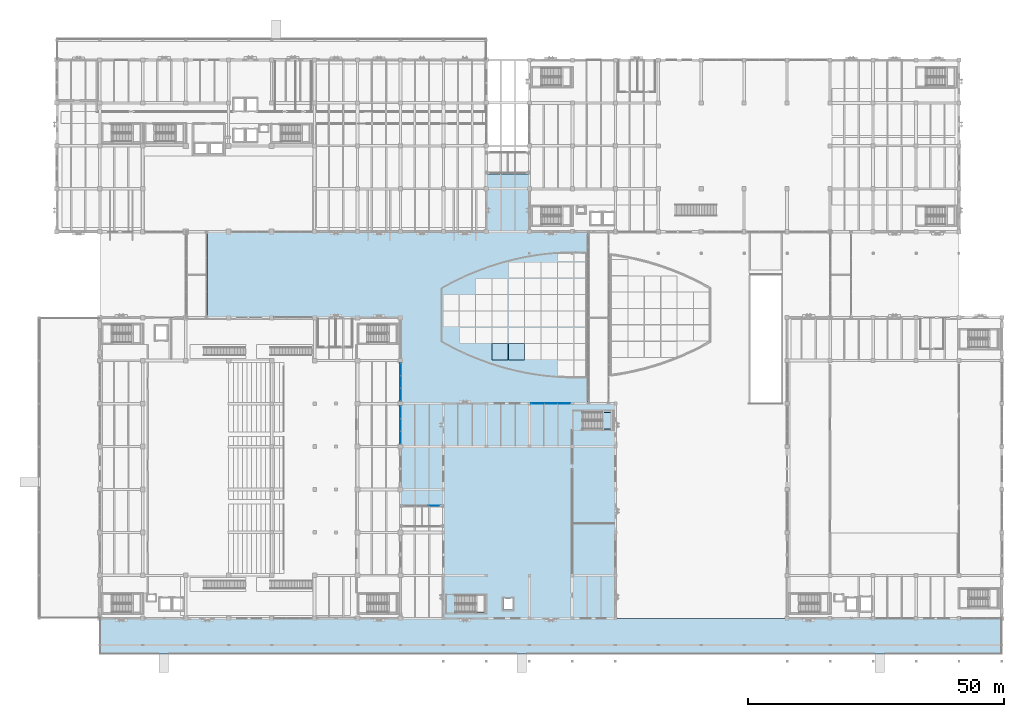
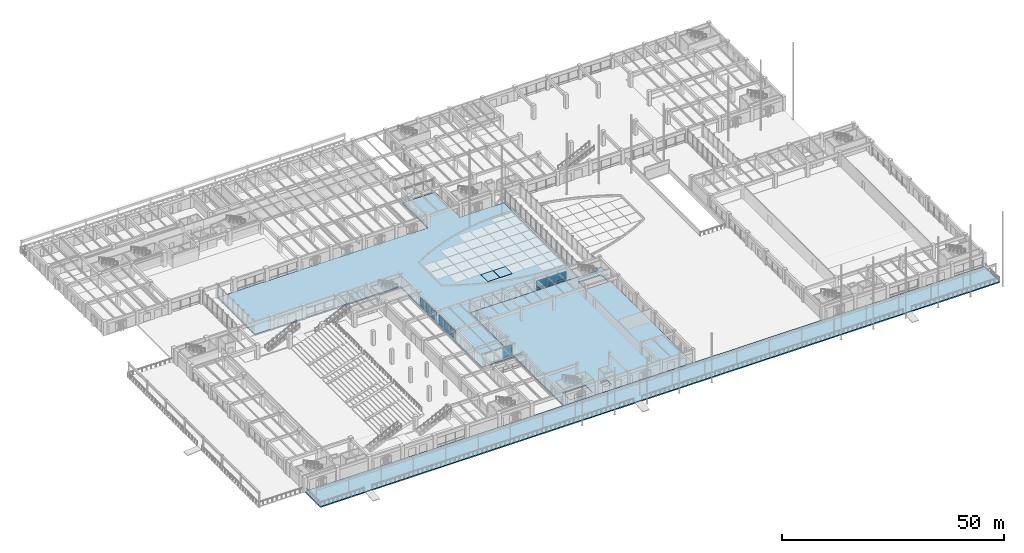
# One storey, part 65 of 135: 21 plates, 4 slabs, 5 elements without a shape of their own.
"""IFC4 building model written with IfcOpenShell, lengths in metres."""

from ifc_helpers import new_model, si_unit, direction, frame, origin, origin_2d, place, context, subcontext, project, spatial, polyline, rectangle, outline, extrude, material, layer, layer_set, type_object, element, aggregate, save


model = new_model("IFC4")

# Units and contexts
model_context = context("Model", 3, precision=1e-05, world=origin(), true_north=direction((0.0, 1.0)))
body_context = subcontext(model_context, "Body", "Model", "MODEL_VIEW")
ifc_project = project(units=[si_unit("LENGTHUNIT", "METRE"), si_unit("AREAUNIT", "SQUARE_METRE"), si_unit("VOLUMEUNIT", "CUBIC_METRE"), si_unit("PLANEANGLEUNIT", "RADIAN"), si_unit("MASSUNIT", "GRAM", prefix="KILO")], contexts=[model_context])

# Site, building, storey
site_placement = place(None, origin())
site = spatial("IfcSite", under=ifc_project, at=site_placement, CompositionType="ELEMENT")
building_placement = place(site_placement, origin())
building = spatial("IfcBuilding", under=site, at=building_placement, Name="Cumbredor Promenade Congress Hotel", CompositionType="ELEMENT")
storey_placement = place(building_placement, origin())
storey = spatial("IfcBuildingStorey", under=building, at=storey_placement, Name="L00", CompositionType="ELEMENT", Elevation=0.0)

# Stair, slab
ifc_material_1 = material(Name="Concrete C40/50", Category="concrete")
stair_type = type_object("IfcStairType", Name="Protected Dog-Leg Exit Stair ST-T1 1550mm", PredefinedType="HALF_TURN_STAIR", material=ifc_material_1)
stair_placement = place(storey_placement, origin())
stair = element("IfcStair", 1, at=stair_placement, inside=storey, type_object=stair_type, Name="L00 Protected Exit Stair ST-12", PredefinedType="HALF_TURN_STAIR")
ifc_layer_1 = layer(ifc_material_1, 0.199951171875, Name="Concrete C40/50", Category="concrete")
ifc_layer_set_1 = layer_set([ifc_layer_1], Name="Concrete C40/50")
slab_type_1 = type_object("IfcSlabType", Name="Concrete Stair Landing Slab 200mm", PredefinedType="LANDING", material=ifc_layer_set_1)
slab_1_placement = place(storey_placement, frame((0.0, 0.0, 1.760009765625)))
slab_1 = element("IfcSlab", 2, at=slab_1_placement, type_object=slab_type_1, Name="ST-12 landing 1", PredefinedType="LANDING", context=body_context, shape_type="SweptSolid", body=[
    extrude(outline(polyline([(106.64990234375, 45.449951171875), (108.64990234375, 45.449951171875), (108.64990234375, 48.699951171875), (106.64990234375, 48.699951171875), (106.64990234375, 45.449951171875)])), origin(), (0.0, 0.0, 1.0), 0.199951171875),
])
aggregate(stair, [slab_1])

# Curtain wall, plate
ifc_material_2 = material(Name="Thermally broken anodized aluminium and low-E glass", Category="aluminium")
curtain_wall_type_1 = type_object("IfcCurtainWallType", Name="Unitised Bridge Glazing Screen CW-05", PredefinedType="NOTDEFINED", material=ifc_material_2)
curtain_wall_1_placement = place(storey_placement, origin())
curtain_wall_1 = element("IfcCurtainWall", 3, at=curtain_wall_1_placement, inside=storey, type_object=curtain_wall_type_1, Name="L00 Central Plenary-to-Spa Pool Bridge North Glazing Screen", PredefinedType="NOTDEFINED")
ifc_material_3 = material(Name="Laminated low-E solar-control glass", Category="glass")
ifc_layer_2 = layer(ifc_material_3, 0.030029296875, Name="Laminated low-E solar-control glass", Category="glass")
ifc_layer_set_2 = layer_set([ifc_layer_2], Name="Laminated low-E solar-control glass")
plate_type_1 = type_object("IfcPlateType", Name="Glazed Bridge Panel PNL-04", PredefinedType="CURTAIN_PANEL", material=ifc_layer_set_2)
plate_1_placement = place(storey_placement, frame((73.760009765625, 30.419921875, 0.78515625), z_axis=(0.0, 0.0, 1.0), x_axis=(1.0, 0.0, 0.0)))
plate_1 = element("IfcPlate", 4, at=plate_1_placement, type_object=plate_type_1, Name="L00 Central Plenary-to-Spa Pool Bridge North Glazing Screen Glazing Panel 3.2", PredefinedType="CURTAIN_PANEL", context=body_context, shape_type="SweptSolid", body=[
    extrude(rectangle(XDim=2.294921875, YDim=0.030029296875, at=origin_2d()), origin(), (0.0, 0.0, 1.0), 2.6298828125),
])
aggregate(curtain_wall_1, [plate_1])

# Curtain wall, plates
curtain_wall_type_2 = type_object("IfcCurtainWallType", Name="Unitised Grand Foyer Curtain Wall CW-04", PredefinedType="NOTDEFINED", material=ifc_material_2)
curtain_wall_2_placement = place(storey_placement, origin())
curtain_wall_2 = element("IfcCurtainWall", 5, at=curtain_wall_2_placement, inside=storey, type_object=curtain_wall_type_2, Name="L00 Plenary Congress Hall East Curtain Wall 5", PredefinedType="NOTDEFINED")
ifc_layer_3 = layer(ifc_material_3, 0.028076171875, Name="Laminated low-E solar-control glass", Category="glass")
ifc_layer_set_3 = layer_set([ifc_layer_3], Name="Laminated low-E solar-control glass")
plate_type_2 = type_object("IfcPlateType", Name="Glazed Vision Panel PNL-01", PredefinedType="CURTAIN_PANEL", material=ifc_layer_set_3)
plate_2_placement = place(storey_placement, frame((67.199951171875, 43.736572265625, 0.784912109375), z_axis=(0.0, 0.0, 1.0), x_axis=(0.0, 1.0, 0.0)))
plate_2 = element("IfcPlate", 6, at=plate_2_placement, type_object=plate_type_2, Name="L00 Plenary Congress Hall East Curtain Wall 5 Glazing Panel 1.2", PredefinedType="CURTAIN_PANEL", context=body_context, shape_type="SweptSolid", body=[
    extrude(rectangle(XDim=2.398193359375, YDim=0.028076171875, at=origin_2d()), origin(), (0.0, 0.0, 1.0), 2.06005859375),
])
plate_3_placement = place(storey_placement, frame((67.199951171875, 46.199951171875, 0.784912109375), z_axis=(0.0, 0.0, 1.0), x_axis=(0.0, 1.0, 0.0)))
plate_3 = element("IfcPlate", 7, at=plate_3_placement, type_object=plate_type_2, Name="L00 Plenary Congress Hall East Curtain Wall 5 Glazing Panel 2.2", PredefinedType="CURTAIN_PANEL", context=body_context, shape_type="SweptSolid", body=[
    extrude(rectangle(XDim=2.3984375, YDim=0.028076171875, at=origin_2d()), origin(), (0.0, 0.0, 1.0), 2.06005859375),
])
plate_4_placement = place(storey_placement, frame((67.199951171875, 48.663330078125, 0.784912109375), z_axis=(0.0, 0.0, 1.0), x_axis=(0.0, 1.0, 0.0)))
plate_4 = element("IfcPlate", 8, at=plate_4_placement, type_object=plate_type_2, Name="L00 Plenary Congress Hall East Curtain Wall 5 Glazing Panel 3.2", PredefinedType="CURTAIN_PANEL", context=body_context, shape_type="SweptSolid", body=[
    extrude(rectangle(XDim=2.398193359375, YDim=0.028076171875, at=origin_2d()), origin(), (0.0, 0.0, 1.0), 2.06005859375),
])

curtain_wall_3_placement = place(storey_placement, origin())
curtain_wall_3 = element("IfcCurtainWall", 9, at=curtain_wall_3_placement, inside=storey, type_object=curtain_wall_type_2, Name="L00 Plenary Congress Hall East Curtain Wall 6", PredefinedType="NOTDEFINED")
ifc_layer_4 = layer(ifc_material_3, 0.031982421875, Name="Laminated low-E solar-control glass", Category="glass")
ifc_layer_set_4 = layer_set([ifc_layer_4], Name="Laminated low-E solar-control glass")
plate_type_3 = type_object("IfcPlateType", Name="Glazed Vision Panel PNL-02", PredefinedType="CURTAIN_PANEL", material=ifc_layer_set_4)
plate_5_placement = place(storey_placement, frame((67.199951171875, 52.13671875, 0.794921875), z_axis=(0.0, 0.0, 1.0), x_axis=(0.0, 1.0, 0.0)))
plate_5 = element("IfcPlate", 10, at=plate_5_placement, type_object=plate_type_3, Name="L00 Plenary Congress Hall East Curtain Wall 6 Glazing Panel 1.2", PredefinedType="CURTAIN_PANEL", context=body_context, shape_type="SweptSolid", body=[
    extrude(rectangle(XDim=2.38818359375, YDim=0.031982421875, at=origin_2d()), origin(), (0.0, 0.0, 1.0), 1.830078125),
])
plate_6_placement = place(storey_placement, frame((67.199951171875, 54.60009765625, 0.794921875), z_axis=(0.0, 0.0, 1.0), x_axis=(0.0, 1.0, 0.0)))
plate_6 = element("IfcPlate", 11, at=plate_6_placement, type_object=plate_type_3, Name="L00 Plenary Congress Hall East Curtain Wall 6 Glazing Panel 2.2", PredefinedType="CURTAIN_PANEL", context=body_context, shape_type="SweptSolid", body=[
    extrude(rectangle(XDim=2.388427734375, YDim=0.031982421875, at=origin_2d()), origin(), (0.0, 0.0, 1.0), 1.830078125),
])
plate_7_placement = place(storey_placement, frame((67.199951171875, 57.063232421875, 0.794921875), z_axis=(0.0, 0.0, 1.0), x_axis=(0.0, 1.0, 0.0)))
plate_7 = element("IfcPlate", 12, at=plate_7_placement, type_object=plate_type_3, Name="L00 Plenary Congress Hall East Curtain Wall 6 Glazing Panel 3.2", PredefinedType="CURTAIN_PANEL", context=body_context, shape_type="SweptSolid", body=[
    extrude(rectangle(XDim=2.38818359375, YDim=0.031982421875, at=origin_2d()), origin(), (0.0, 0.0, 1.0), 1.830078125),
])

curtain_wall_4_placement = place(storey_placement, origin())
curtain_wall_4 = element("IfcCurtainWall", 13, at=curtain_wall_4_placement, inside=storey, type_object=curtain_wall_type_2, Name="L00 Thermal Spa and Hydrotherapy Pavilion North Curtain Wall 3", PredefinedType="NOTDEFINED")
plate_8_placement = place(storey_placement, frame((94.03662109375, 50.39990234375, 0.795166015625), z_axis=(0.0, 0.0, 1.0), x_axis=(1.0, 0.0, 0.0)))
plate_8 = element("IfcPlate", 14, at=plate_8_placement, type_object=plate_type_3, Name="L00 Thermal Spa and Hydrotherapy Pavilion North Curtain Wall 3 Glazing Panel 1.2", PredefinedType="CURTAIN_PANEL", context=body_context, shape_type="SweptSolid", body=[
    extrude(rectangle(XDim=2.48828125, YDim=0.031982421875, at=origin_2d()), origin(), (0.0, 0.0, 1.0), 1.8798828125),
])
plate_9_placement = place(storey_placement, frame((96.60009765625, 50.39990234375, 0.795166015625), z_axis=(0.0, 0.0, 1.0), x_axis=(1.0, 0.0, 0.0)))
plate_9 = element("IfcPlate", 15, at=plate_9_placement, type_object=plate_type_3, Name="L00 Thermal Spa and Hydrotherapy Pavilion North Curtain Wall 3 Glazing Panel 2.2", PredefinedType="CURTAIN_PANEL", context=body_context, shape_type="SweptSolid", body=[
    extrude(rectangle(XDim=2.48828125, YDim=0.031982421875, at=origin_2d()), origin(), (0.0, 0.0, 1.0), 1.8798828125),
])
plate_10_placement = place(storey_placement, frame((99.163330078125, 50.39990234375, 0.795166015625), z_axis=(0.0, 0.0, 1.0), x_axis=(1.0, 0.0, 0.0)))
plate_10 = element("IfcPlate", 16, at=plate_10_placement, type_object=plate_type_3, Name="L00 Thermal Spa and Hydrotherapy Pavilion North Curtain Wall 3 Glazing Panel 3.2", PredefinedType="CURTAIN_PANEL", context=body_context, shape_type="SweptSolid", body=[
    extrude(rectangle(XDim=2.48828125, YDim=0.031982421875, at=origin_2d()), origin(), (0.0, 0.0, 1.0), 1.8798828125),
])

# Slab
ifc_layer_5 = layer(ifc_material_1, 0.35009765625, Name="Concrete C40/50", Category="concrete")
ifc_layer_set_5 = layer_set([ifc_layer_5], Name="Concrete C40/50")
slab_type_2 = type_object("IfcSlabType", Name="Ground Floor Slab 350mm", PredefinedType="FLOOR", material=ifc_layer_set_5)
slab_2_placement = place(storey_placement, frame((0.0, 0.0, -0.35009765625)))
element("IfcSlab", 17, at=slab_2_placement, inside=storey, type_object=slab_type_2, Name="L00 Thermal Spa and Hydrotherapy Pavilion Floor Slab", PredefinedType="FLOOR", context=body_context, shape_type="SweptSolid", body=[
    extrude(outline(polyline([(75.60009765625, 8.39990234375), (109.199951171875, 8.39990234375), (109.199951171875, 50.39990234375), (75.60009765625, 50.39990234375), (75.60009765625, 8.39990234375)]), holes=[polyline([(77.949951171875, 9.60009765625), (83.85009765625, 9.60009765625), (83.85009765625, 12.85009765625), (77.949951171875, 12.85009765625), (77.949951171875, 9.60009765625)]), polyline([(102.75, 45.449951171875), (108.64990234375, 45.449951171875), (108.64990234375, 48.699951171875), (102.75, 48.699951171875), (102.75, 45.449951171875)]), polyline([(87.300048828125, 10.10009765625), (89.10009765625, 10.10009765625), (89.10009765625, 12.300048828125), (87.300048828125, 12.300048828125), (87.300048828125, 10.10009765625)])]), origin(), (0.0, 0.0, 1.0), 0.35009765625),
])

# Plate
ifc_material_4 = material(Name="Thermally broken anodized aluminium", Category="aluminium")
ifc_layer_6 = layer(ifc_material_4, 0.0400390625, Name="Thermally broken anodized aluminium", Category="aluminium")
ifc_layer_set_6 = layer_set([ifc_layer_6], Name="Thermally broken anodized aluminium")
plate_type_4 = type_object("IfcPlateType", Name="Insulated Spandrel Panel PNL-05", PredefinedType="CURTAIN_PANEL", material=ifc_layer_set_6)
plate_11_placement = place(storey_placement, frame((67.199951171875, 43.736572265625, 0.135009765625), z_axis=(0.0, 0.0, 1.0), x_axis=(0.0, 1.0, 0.0)))
plate_11 = element("IfcPlate", 18, at=plate_11_placement, type_object=plate_type_4, Name="L00 Plenary Congress Hall East Curtain Wall 5 Spandrel Panel 1.1", PredefinedType="CURTAIN_PANEL", context=body_context, shape_type="SweptSolid", body=[
    extrude(rectangle(XDim=2.398193359375, YDim=0.0400390625, at=origin_2d()), origin(), (0.0, 0.0, 1.0), 0.52001953125),
])

plate_12_placement = place(storey_placement, frame((67.199951171875, 46.199951171875, 0.135009765625), z_axis=(0.0, 0.0, 1.0), x_axis=(0.0, 1.0, 0.0)))
plate_12 = element("IfcPlate", 19, at=plate_12_placement, type_object=plate_type_4, Name="L00 Plenary Congress Hall East Curtain Wall 5 Spandrel Panel 2.1", PredefinedType="CURTAIN_PANEL", context=body_context, shape_type="SweptSolid", body=[
    extrude(rectangle(XDim=2.3984375, YDim=0.0400390625, at=origin_2d()), origin(), (0.0, 0.0, 1.0), 0.52001953125),
])

plate_13_placement = place(storey_placement, frame((67.199951171875, 48.663330078125, 0.135009765625), z_axis=(0.0, 0.0, 1.0), x_axis=(0.0, 1.0, 0.0)))
plate_13 = element("IfcPlate", 20, at=plate_13_placement, type_object=plate_type_4, Name="L00 Plenary Congress Hall East Curtain Wall 5 Spandrel Panel 3.1", PredefinedType="CURTAIN_PANEL", context=body_context, shape_type="SweptSolid", body=[
    extrude(rectangle(XDim=2.398193359375, YDim=0.0400390625, at=origin_2d()), origin(), (0.0, 0.0, 1.0), 0.52001953125),
])

aggregate(curtain_wall_2, [plate_11, plate_2, plate_12, plate_3, plate_13, plate_4])

plate_14_placement = place(storey_placement, frame((94.03662109375, 50.39990234375, 0.14501953125), z_axis=(0.0, 0.0, 1.0), x_axis=(1.0, 0.0, 0.0)))
plate_14 = element("IfcPlate", 21, at=plate_14_placement, type_object=plate_type_4, Name="L00 Thermal Spa and Hydrotherapy Pavilion North Curtain Wall 3 Spandrel Panel 1.1", PredefinedType="CURTAIN_PANEL", context=body_context, shape_type="SweptSolid", body=[
    extrude(rectangle(XDim=2.48828125, YDim=0.0400390625, at=origin_2d()), origin(), (0.0, 0.0, 1.0), 0.5),
])

plate_15_placement = place(storey_placement, frame((96.60009765625, 50.39990234375, 0.14501953125), z_axis=(0.0, 0.0, 1.0), x_axis=(1.0, 0.0, 0.0)))
plate_15 = element("IfcPlate", 22, at=plate_15_placement, type_object=plate_type_4, Name="L00 Thermal Spa and Hydrotherapy Pavilion North Curtain Wall 3 Spandrel Panel 2.1", PredefinedType="CURTAIN_PANEL", context=body_context, shape_type="SweptSolid", body=[
    extrude(rectangle(XDim=2.48828125, YDim=0.0400390625, at=origin_2d()), origin(), (0.0, 0.0, 1.0), 0.5),
])

plate_16_placement = place(storey_placement, frame((99.163330078125, 50.39990234375, 0.14501953125), z_axis=(0.0, 0.0, 1.0), x_axis=(1.0, 0.0, 0.0)))
plate_16 = element("IfcPlate", 23, at=plate_16_placement, type_object=plate_type_4, Name="L00 Thermal Spa and Hydrotherapy Pavilion North Curtain Wall 3 Spandrel Panel 3.1", PredefinedType="CURTAIN_PANEL", context=body_context, shape_type="SweptSolid", body=[
    extrude(rectangle(XDim=2.48828125, YDim=0.0400390625, at=origin_2d()), origin(), (0.0, 0.0, 1.0), 0.5),
])

aggregate(curtain_wall_4, [plate_14, plate_8, plate_15, plate_9, plate_16, plate_10])

ifc_layer_7 = layer(ifc_material_4, 0.0400390625, Name="Thermally broken anodized aluminium", Category="aluminium")
ifc_layer_set_7 = layer_set([ifc_layer_7], Name="Thermally broken anodized aluminium")
plate_type_5 = type_object("IfcPlateType", Name="Insulated Spandrel Panel PNL-06", PredefinedType="CURTAIN_PANEL", material=ifc_layer_set_7)
plate_17_placement = place(storey_placement, frame((67.199951171875, 52.13671875, 0.14501953125), z_axis=(0.0, 0.0, 1.0), x_axis=(0.0, 1.0, 0.0)))
plate_17 = element("IfcPlate", 24, at=plate_17_placement, type_object=plate_type_5, Name="L00 Plenary Congress Hall East Curtain Wall 6 Spandrel Panel 1.1", PredefinedType="CURTAIN_PANEL", context=body_context, shape_type="SweptSolid", body=[
    extrude(rectangle(XDim=2.38818359375, YDim=0.0400390625, at=origin_2d()), origin(), (0.0, 0.0, 1.0), 0.5),
])

plate_18_placement = place(storey_placement, frame((67.199951171875, 54.60009765625, 0.14501953125), z_axis=(0.0, 0.0, 1.0), x_axis=(0.0, 1.0, 0.0)))
plate_18 = element("IfcPlate", 25, at=plate_18_placement, type_object=plate_type_5, Name="L00 Plenary Congress Hall East Curtain Wall 6 Spandrel Panel 2.1", PredefinedType="CURTAIN_PANEL", context=body_context, shape_type="SweptSolid", body=[
    extrude(rectangle(XDim=2.388427734375, YDim=0.0400390625, at=origin_2d()), origin(), (0.0, 0.0, 1.0), 0.5),
])

plate_19_placement = place(storey_placement, frame((67.199951171875, 57.063232421875, 0.14501953125), z_axis=(0.0, 0.0, 1.0), x_axis=(0.0, 1.0, 0.0)))
plate_19 = element("IfcPlate", 26, at=plate_19_placement, type_object=plate_type_5, Name="L00 Plenary Congress Hall East Curtain Wall 6 Spandrel Panel 3.1", PredefinedType="CURTAIN_PANEL", context=body_context, shape_type="SweptSolid", body=[
    extrude(rectangle(XDim=2.38818359375, YDim=0.0400390625, at=origin_2d()), origin(), (0.0, 0.0, 1.0), 0.5),
])

aggregate(curtain_wall_3, [plate_17, plate_5, plate_18, plate_6, plate_19, plate_7])

# Slabs
ifc_layer_8 = layer(ifc_material_1, 0.300048828125, Name="Concrete C40/50", Category="concrete")
ifc_layer_set_8 = layer_set([ifc_layer_8], Name="Concrete C40/50")
slab_type_3 = type_object("IfcSlabType", Name="Outdoor Promenade Terrace Slab 300mm", PredefinedType="FLOOR", material=ifc_layer_set_8)
slab_3_placement = place(storey_placement, frame((0.0, 0.0, -0.300048828125)))
element("IfcSlab", 27, at=slab_3_placement, inside=storey, type_object=slab_type_3, Name="L00 South Riverside Colonnade Terrace", PredefinedType="FLOOR", context=body_context, shape_type="SweptSolid", body=[
    extrude(outline(polyline([(8.39990234375, 1.39990234375), (184.800048828125, 1.39990234375), (184.800048828125, 8.39990234375), (8.39990234375, 8.39990234375), (8.39990234375, 1.39990234375)])), origin(), (0.0, 0.0, 1.0), 0.300048828125),
])
ifc_layer_9 = layer(ifc_material_1, 0.31005859375, Name="Concrete C40/50", Category="concrete")
ifc_layer_set_9 = layer_set([ifc_layer_9], Name="Concrete C40/50")
slab_type_4 = type_object("IfcSlabType", Name="Reflecting Pool Basin Slab 310mm", PredefinedType="FLOOR", material=ifc_layer_set_9)
slab_4_placement = place(storey_placement, frame((0.0, 0.0, -0.35009765625)))
element("IfcSlab", 28, at=slab_4_placement, inside=storey, type_object=slab_type_4, Name="L00 Central Reflecting-Pool Courtyard Plaza Slab 3", PredefinedType="FLOOR", context=body_context, shape_type="SweptSolid", body=[
    extrude(outline(polyline([(67.199951171875, 30.580078125), (67.199951171875, 67.199951171875), (29.47998046875, 67.199951171875), (29.47998046875, 84.0), (84.0, 84.0), (84.0, 95.320068359375), (92.39990234375, 95.320068359375), (92.39990234375, 99.679931640625), (84.0, 99.679931640625), (84.0, 117.60009765625), (92.39990234375, 117.60009765625), (92.39990234375, 84.0), (103.719970703125, 84.0), (103.719970703125, 50.39990234375), (75.60009765625, 50.39990234375), (75.60009765625, 30.580078125), (67.199951171875, 30.580078125)])), origin(), (0.0, 0.0, 1.0), 0.35009765625),
])

# Plates
ifc_layer_10 = layer(ifc_material_3, 0.030029296875, Name="Laminated low-E solar-control glass", Category="glass")
ifc_layer_set_10 = layer_set([ifc_layer_10], Name="Laminated low-E solar-control glass")
plate_type_6 = type_object("IfcPlateType", Name="Reflecting Pool Water Mirror Panel WMP-01", PredefinedType="USERDEFINED", material=ifc_layer_set_10)
for number, where, z_axis, x_axis, name in (
    (29, (86.669921875, 60.52001953125, 0.0), (0.0, 0.0, 1.0), (1.0, 0.0, 0.0), "Central Reflecting Pool Water Mirror 010"),
    (30, (89.8701171875, 60.52001953125, 0.0), (0.0, 0.0, 1.0), (1.0, 0.0, 0.0), "Central Reflecting Pool Water Mirror 015"),
):
    element("IfcPlate", number, at=place(storey_placement, frame(where, z_axis=z_axis, x_axis=x_axis)), inside=storey, type_object=plate_type_6, Name=name, ObjectType="WATER MIRROR PANEL", PredefinedType="USERDEFINED", context=body_context, shape_type="SweptSolid", body=[
        extrude(rectangle(XDim=3.159912109375, YDim=3.159912109375, at=origin_2d()), origin(), (0.0, 0.0, 1.0), 0.030029296875),
    ])

save(model, "model.ifc")
